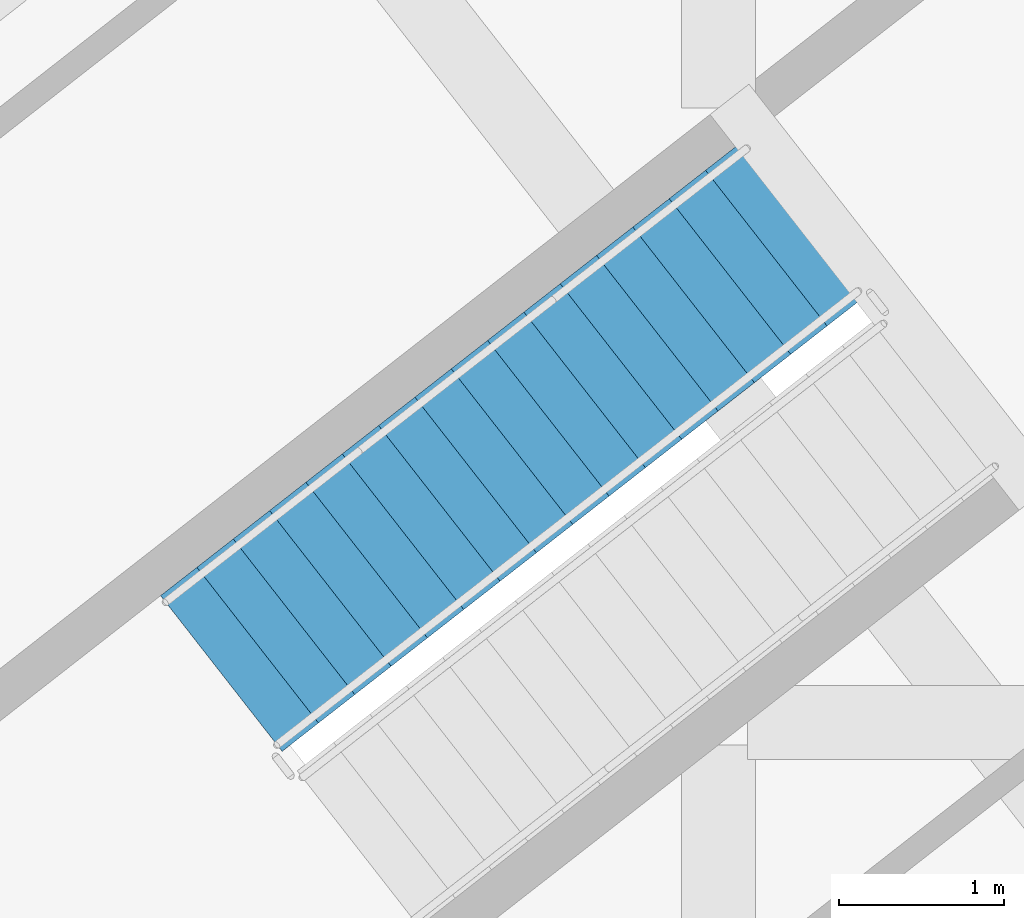
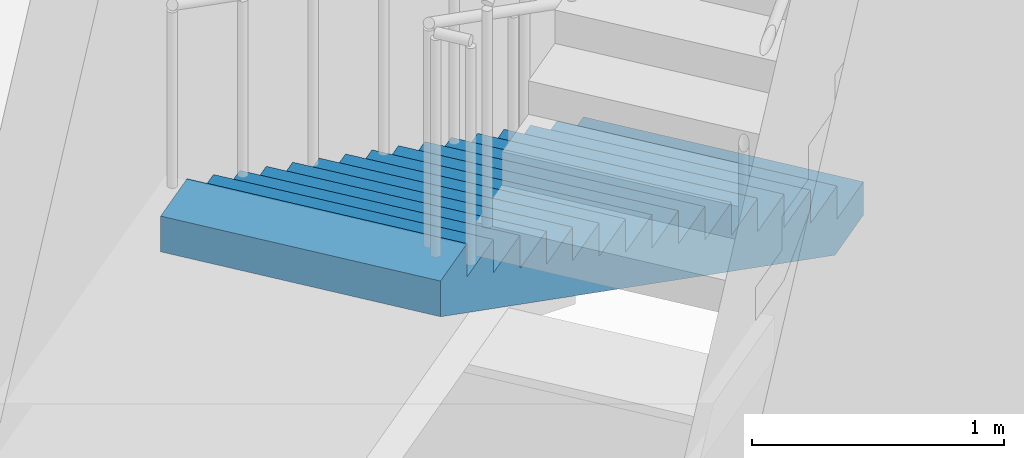
# One storey, part 19 of 23: 1 stair flight, 1 element without a shape of its own.
"""IFC4 building model written with IfcOpenShell, lengths in metres."""

from ifc_helpers import new_model, si_unit, direction, frame, origin, place, context, subcontext, project, spatial, faceted_brep, material, type_object, element, aggregate, save


model = new_model("IFC4")

# Units and contexts
model_context = context("Model", 3, precision=1e-05, world=origin(), true_north=direction((0.0, 1.0)))
body_context = subcontext(model_context, "Body", "Model", "MODEL_VIEW")
ifc_project = project(units=[si_unit("LENGTHUNIT", "METRE"), si_unit("AREAUNIT", "SQUARE_METRE"), si_unit("VOLUMEUNIT", "CUBIC_METRE"), si_unit("PLANEANGLEUNIT", "RADIAN"), si_unit("MASSUNIT", "GRAM", prefix="KILO")], contexts=[model_context])

# Site, building, storey
site_placement = place(None, origin())
site = spatial("IfcSite", under=ifc_project, at=site_placement, CompositionType="ELEMENT")
building_placement = place(site_placement, origin())
building = spatial("IfcBuilding", under=site, at=building_placement, Name="Tarsis Ring Headquarters", CompositionType="ELEMENT")
storey_placement = place(building_placement, frame((0.0, 0.0, 14.0)))
storey = spatial("IfcBuildingStorey", under=building, at=storey_placement, Name="L02", CompositionType="ELEMENT", Elevation=14.0)

# Stair, stair flight
ifc_material = material(Name="Concrete C40/50", Category="concrete")
stair_type = type_object("IfcStairType", Name="PO-ST", PredefinedType="HALF_TURN_STAIR", material=ifc_material)
stair_placement = place(storey_placement, origin())
stair = element("IfcStair", 1, at=stair_placement, inside=storey, type_object=stair_type, Name="L02 Podium stair", PredefinedType="HALF_TURN_STAIR")
stair_flight_type = type_object("IfcStairFlightType", Name="PO-STF", PredefinedType="STRAIGHT", material=ifc_material)
stair_flight_placement = place(storey_placement, frame((-17.48779296875, 48.052978515625, 0.0), z_axis=(0.0, 0.0, 1.0), x_axis=(-0.788276433435, -0.615321269331, 0.0)))
stair_flight = element("IfcStairFlight", 2, at=stair_flight_placement, type_object=stair_flight_type, Name="Stair PS4 flight 1", NumberOfRisers=17, NumberOfTreads=16, PredefinedType="STRAIGHT", RiserHeight=0.161764706, TreadLength=0.28, context=body_context, shape_type="Brep", body=[
    faceted_brep([(0.0, 0.60009765625, 0.0), (0.0, 0.60009765625, 0.161865234375), (0.280029296875, 0.60009765625, 0.161865234375), (0.280029296875, 0.60009765625, 0.323486328125), (0.56005859375, 0.60009765625, 0.323486328125), (0.56005859375, 0.60009765625, 0.4853515625), (0.840087890625, 0.60009765625, 0.4853515625), (0.840087890625, 0.60009765625, 0.64697265625), (1.1201171875, 0.60009765625, 0.64697265625), (1.1201171875, 0.60009765625, 0.808837890625), (1.39990234375, 0.60009765625, 0.808837890625), (1.39990234375, 0.60009765625, 0.970703125), (1.679931640625, 0.60009765625, 0.970703125), (1.679931640625, 0.60009765625, 1.13232421875), (1.9599609375, 0.60009765625, 1.13232421875), (1.9599609375, 0.60009765625, 1.294189453125), (2.239990234375, 0.60009765625, 1.294189453125), (2.239990234375, 0.60009765625, 1.455810546875), (2.52001953125, 0.60009765625, 1.455810546875), (2.52001953125, 0.60009765625, 1.61767578125), (2.800048828125, 0.60009765625, 1.61767578125), (2.800048828125, 0.60009765625, 1.779296875), (3.080078125, 0.60009765625, 1.779296875), (3.080078125, 0.60009765625, 1.941162109375), (3.360107421875, 0.60009765625, 1.941162109375), (3.360107421875, 0.60009765625, 2.10302734375), (3.639892578125, 0.60009765625, 2.10302734375), (3.639892578125, 0.60009765625, 2.2646484375), (3.919921875, 0.60009765625, 2.2646484375), (3.919921875, 0.60009765625, 2.426513671875), (4.199951171875, 0.60009765625, 2.426513671875), (4.199951171875, 0.60009765625, 2.588134765625), (4.47998046875, 0.60009765625, 2.588134765625), (4.47998046875, 0.60009765625, 2.4150390625), (0.299560546875, 0.60009765625, 0.0), (0.299560546875, -0.60009765625, 0.0), (4.47998046875, -0.60009765625, 2.4150390625), (4.47998046875, -0.60009765625, 2.588134765625), (4.199951171875, -0.60009765625, 2.588134765625), (4.199951171875, -0.60009765625, 2.426513671875), (3.919921875, -0.60009765625, 2.426513671875), (3.919921875, -0.60009765625, 2.2646484375), (3.639892578125, -0.60009765625, 2.2646484375), (3.639892578125, -0.60009765625, 2.10302734375), (3.360107421875, -0.60009765625, 2.10302734375), (3.360107421875, -0.60009765625, 1.941162109375), (3.080078125, -0.60009765625, 1.941162109375), (3.080078125, -0.60009765625, 1.779296875), (2.800048828125, -0.60009765625, 1.779296875), (2.800048828125, -0.60009765625, 1.61767578125), (2.52001953125, -0.60009765625, 1.61767578125), (2.52001953125, -0.60009765625, 1.455810546875), (2.239990234375, -0.60009765625, 1.455810546875), (2.239990234375, -0.60009765625, 1.294189453125), (1.9599609375, -0.60009765625, 1.294189453125), (1.9599609375, -0.60009765625, 1.13232421875), (1.679931640625, -0.60009765625, 1.13232421875), (1.679931640625, -0.60009765625, 0.970703125), (1.39990234375, -0.60009765625, 0.970703125), (1.39990234375, -0.60009765625, 0.808837890625), (1.1201171875, -0.60009765625, 0.808837890625), (1.1201171875, -0.60009765625, 0.64697265625), (0.840087890625, -0.60009765625, 0.64697265625), (0.840087890625, -0.60009765625, 0.4853515625), (0.56005859375, -0.60009765625, 0.4853515625), (0.56005859375, -0.60009765625, 0.323486328125), (0.280029296875, -0.60009765625, 0.323486328125), (0.280029296875, -0.60009765625, 0.161865234375), (0.0, -0.60009765625, 0.161865234375), (0.0, -0.60009765625, 0.0), (0.0, -0.300048828125, 0.161865234375), (0.0, -0.300048828125, 0.0), (0.0, 0.0, 0.161865234375), (0.0, 0.0, 0.0), (0.0, 0.300048828125, 0.161865234375), (0.0, 0.300048828125, 0.0), (0.280029296875, -0.300048828125, 0.161865234375), (0.280029296875, 0.0, 0.161865234375), (0.280029296875, 0.300048828125, 0.161865234375), (0.280029296875, -0.300048828125, 0.323486328125), (0.280029296875, 0.0, 0.323486328125), (0.280029296875, 0.300048828125, 0.323486328125), (0.56005859375, -0.300048828125, 0.323486328125), (0.56005859375, 0.0, 0.323486328125), (0.56005859375, 0.300048828125, 0.323486328125), (0.56005859375, -0.300048828125, 0.4853515625), (0.56005859375, 0.0, 0.4853515625), (0.56005859375, 0.300048828125, 0.4853515625), (0.840087890625, -0.300048828125, 0.4853515625), (0.840087890625, 0.0, 0.4853515625), (0.840087890625, 0.300048828125, 0.4853515625), (0.840087890625, -0.300048828125, 0.64697265625), (0.840087890625, 0.0, 0.64697265625), (0.840087890625, 0.300048828125, 0.64697265625), (1.1201171875, -0.300048828125, 0.64697265625), (1.1201171875, 0.0, 0.64697265625), (1.1201171875, 0.300048828125, 0.64697265625), (1.1201171875, -0.300048828125, 0.808837890625), (1.1201171875, 0.0, 0.808837890625), (1.1201171875, 0.300048828125, 0.808837890625), (1.39990234375, -0.300048828125, 0.808837890625), (1.39990234375, 0.0, 0.808837890625), (1.39990234375, 0.300048828125, 0.808837890625), (1.39990234375, -0.300048828125, 0.970703125), (1.39990234375, 0.0, 0.970703125), (1.39990234375, 0.300048828125, 0.970703125), (1.679931640625, -0.300048828125, 0.970703125), (1.679931640625, 0.0, 0.970703125), (1.679931640625, 0.300048828125, 0.970703125), (1.679931640625, -0.300048828125, 1.13232421875), (1.679931640625, 0.0, 1.13232421875), (1.679931640625, 0.300048828125, 1.13232421875), (1.9599609375, -0.300048828125, 1.13232421875), (1.9599609375, 0.0, 1.13232421875), (1.9599609375, 0.300048828125, 1.13232421875), (1.9599609375, -0.300048828125, 1.294189453125), (1.9599609375, 0.0, 1.294189453125), (1.9599609375, 0.300048828125, 1.294189453125), (2.239990234375, -0.300048828125, 1.294189453125), (2.239990234375, 0.0, 1.294189453125), (2.239990234375, 0.300048828125, 1.294189453125), (2.239990234375, -0.300048828125, 1.455810546875), (2.239990234375, 0.0, 1.455810546875), (2.239990234375, 0.300048828125, 1.455810546875), (2.52001953125, -0.300048828125, 1.455810546875), (2.52001953125, 0.0, 1.455810546875), (2.52001953125, 0.300048828125, 1.455810546875), (2.52001953125, -0.300048828125, 1.61767578125), (2.52001953125, 0.0, 1.61767578125), (2.52001953125, 0.300048828125, 1.61767578125), (2.800048828125, -0.300048828125, 1.61767578125), (2.800048828125, 0.0, 1.61767578125), (2.800048828125, 0.300048828125, 1.61767578125), (2.800048828125, -0.300048828125, 1.779296875), (2.800048828125, 0.0, 1.779296875), (2.800048828125, 0.300048828125, 1.779296875), (3.080078125, -0.300048828125, 1.779296875), (3.080078125, 0.0, 1.779296875), (3.080078125, 0.300048828125, 1.779296875), (3.080078125, -0.300048828125, 1.941162109375), (3.080078125, 0.0, 1.941162109375), (3.080078125, 0.300048828125, 1.941162109375), (3.360107421875, -0.300048828125, 1.941162109375), (3.360107421875, 0.0, 1.941162109375), (3.360107421875, 0.300048828125, 1.941162109375), (3.360107421875, -0.300048828125, 2.10302734375), (3.360107421875, 0.0, 2.10302734375), (3.360107421875, 0.300048828125, 2.10302734375), (3.639892578125, -0.300048828125, 2.10302734375), (3.639892578125, 0.0, 2.10302734375), (3.639892578125, 0.300048828125, 2.10302734375), (3.639892578125, -0.300048828125, 2.2646484375), (3.639892578125, 0.0, 2.2646484375), (3.639892578125, 0.300048828125, 2.2646484375), (3.919921875, -0.300048828125, 2.2646484375), (3.919921875, 0.0, 2.2646484375), (3.919921875, 0.300048828125, 2.2646484375), (3.919921875, -0.300048828125, 2.426513671875), (3.919921875, 0.0, 2.426513671875), (3.919921875, 0.300048828125, 2.426513671875), (4.199951171875, -0.300048828125, 2.426513671875), (4.199951171875, 0.0, 2.426513671875), (4.199951171875, 0.300048828125, 2.426513671875), (4.199951171875, -0.300048828125, 2.588134765625), (4.199951171875, 0.0, 2.588134765625), (4.199951171875, 0.300048828125, 2.588134765625), (4.47998046875, -0.300048828125, 2.588134765625), (4.47998046875, 0.0, 2.588134765625), (4.47998046875, 0.300048828125, 2.588134765625), (4.47998046875, -0.300048828125, 2.4150390625), (4.47998046875, 0.0, 2.4150390625), (4.47998046875, 0.300048828125, 2.4150390625), (0.299560546875, -0.300048828125, 0.0), (0.299560546875, 0.0, 0.0), (0.299560546875, 0.300048828125, 0.0)], [[[0, 1, 2, 3, 4, 5, 6, 7, 8, 9, 10, 11, 12, 13, 14, 15, 16, 17, 18, 19, 20, 21, 22, 23, 24, 25, 26, 27, 28, 29, 30, 31, 32, 33, 34]], [[35, 36, 37, 38, 39, 40, 41, 42, 43, 44, 45, 46, 47, 48, 49, 50, 51, 52, 53, 54, 55, 56, 57, 58, 59, 60, 61, 62, 63, 64, 65, 66, 67, 68, 69]], [[69, 68, 70, 71]], [[71, 70, 72, 73]], [[73, 72, 74, 75]], [[75, 74, 1, 0]], [[68, 67, 76, 70]], [[70, 76, 77, 72]], [[72, 77, 78, 74]], [[74, 78, 2, 1]], [[67, 66, 79, 76]], [[76, 79, 80, 77]], [[77, 80, 81, 78]], [[78, 81, 3, 2]], [[66, 65, 82, 79]], [[79, 82, 83, 80]], [[80, 83, 84, 81]], [[81, 84, 4, 3]], [[65, 64, 85, 82]], [[82, 85, 86, 83]], [[83, 86, 87, 84]], [[84, 87, 5, 4]], [[64, 63, 88, 85]], [[85, 88, 89, 86]], [[86, 89, 90, 87]], [[87, 90, 6, 5]], [[63, 62, 91, 88]], [[88, 91, 92, 89]], [[89, 92, 93, 90]], [[90, 93, 7, 6]], [[62, 61, 94, 91]], [[91, 94, 95, 92]], [[92, 95, 96, 93]], [[93, 96, 8, 7]], [[61, 60, 97, 94]], [[94, 97, 98, 95]], [[95, 98, 99, 96]], [[96, 99, 9, 8]], [[60, 59, 100, 97]], [[97, 100, 101, 98]], [[98, 101, 102, 99]], [[99, 102, 10, 9]], [[59, 58, 103, 100]], [[100, 103, 104, 101]], [[101, 104, 105, 102]], [[102, 105, 11, 10]], [[58, 57, 106, 103]], [[103, 106, 107, 104]], [[104, 107, 108, 105]], [[105, 108, 12, 11]], [[57, 56, 109, 106]], [[106, 109, 110, 107]], [[107, 110, 111, 108]], [[108, 111, 13, 12]], [[56, 55, 112, 109]], [[109, 112, 113, 110]], [[110, 113, 114, 111]], [[111, 114, 14, 13]], [[55, 54, 115, 112]], [[112, 115, 116, 113]], [[113, 116, 117, 114]], [[114, 117, 15, 14]], [[54, 53, 118, 115]], [[115, 118, 119, 116]], [[116, 119, 120, 117]], [[117, 120, 16, 15]], [[53, 52, 121, 118]], [[118, 121, 122, 119]], [[119, 122, 123, 120]], [[120, 123, 17, 16]], [[52, 51, 124, 121]], [[121, 124, 125, 122]], [[122, 125, 126, 123]], [[123, 126, 18, 17]], [[51, 50, 127, 124]], [[124, 127, 128, 125]], [[125, 128, 129, 126]], [[126, 129, 19, 18]], [[50, 49, 130, 127]], [[127, 130, 131, 128]], [[128, 131, 132, 129]], [[129, 132, 20, 19]], [[49, 48, 133, 130]], [[130, 133, 134, 131]], [[131, 134, 135, 132]], [[132, 135, 21, 20]], [[48, 47, 136, 133]], [[133, 136, 137, 134]], [[134, 137, 138, 135]], [[135, 138, 22, 21]], [[47, 46, 139, 136]], [[136, 139, 140, 137]], [[137, 140, 141, 138]], [[138, 141, 23, 22]], [[46, 45, 142, 139]], [[139, 142, 143, 140]], [[140, 143, 144, 141]], [[141, 144, 24, 23]], [[45, 44, 145, 142]], [[142, 145, 146, 143]], [[143, 146, 147, 144]], [[144, 147, 25, 24]], [[44, 43, 148, 145]], [[145, 148, 149, 146]], [[146, 149, 150, 147]], [[147, 150, 26, 25]], [[43, 42, 151, 148]], [[148, 151, 152, 149]], [[149, 152, 153, 150]], [[150, 153, 27, 26]], [[42, 41, 154, 151]], [[151, 154, 155, 152]], [[152, 155, 156, 153]], [[153, 156, 28, 27]], [[41, 40, 157, 154]], [[154, 157, 158, 155]], [[155, 158, 159, 156]], [[156, 159, 29, 28]], [[40, 39, 160, 157]], [[157, 160, 161, 158]], [[158, 161, 162, 159]], [[159, 162, 30, 29]], [[39, 38, 163, 160]], [[160, 163, 164, 161]], [[161, 164, 165, 162]], [[162, 165, 31, 30]], [[38, 37, 166, 163]], [[163, 166, 167, 164]], [[164, 167, 168, 165]], [[165, 168, 32, 31]], [[37, 36, 169, 166]], [[166, 169, 170, 167]], [[167, 170, 171, 168]], [[168, 171, 33, 32]], [[36, 35, 172, 169]], [[169, 172, 173, 170]], [[170, 173, 174, 171]], [[171, 174, 34, 33]], [[35, 69, 71, 172]], [[172, 71, 73, 173]], [[173, 73, 75, 174]], [[174, 75, 0, 34]]]),
])
aggregate(stair, [stair_flight])

save(model, "model.ifc")
